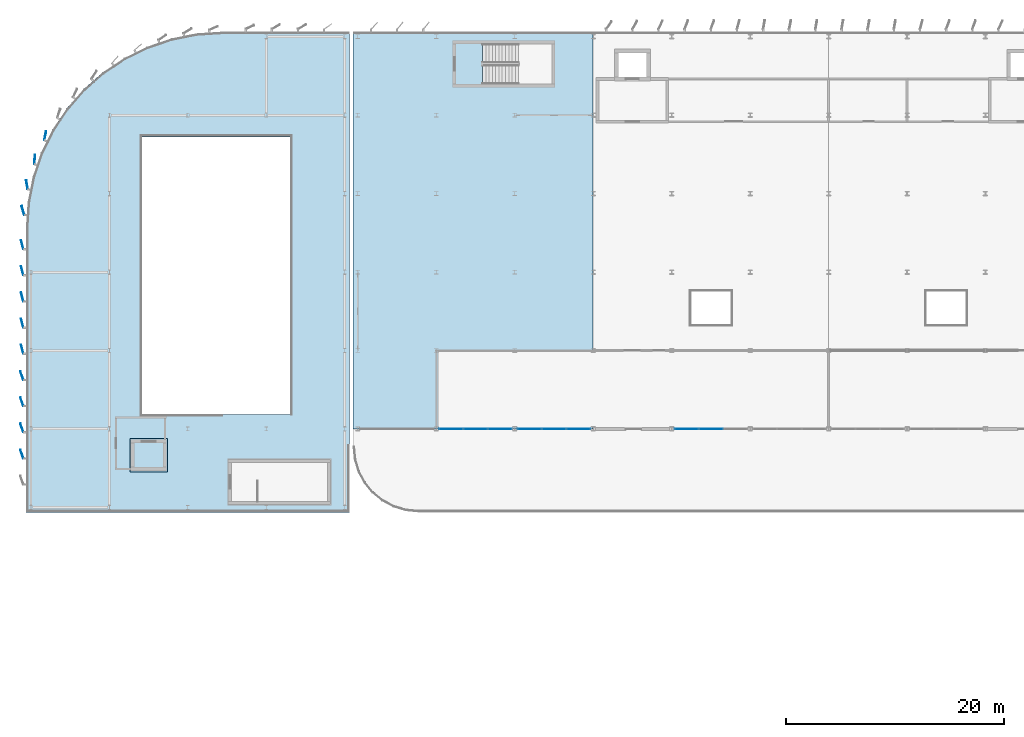
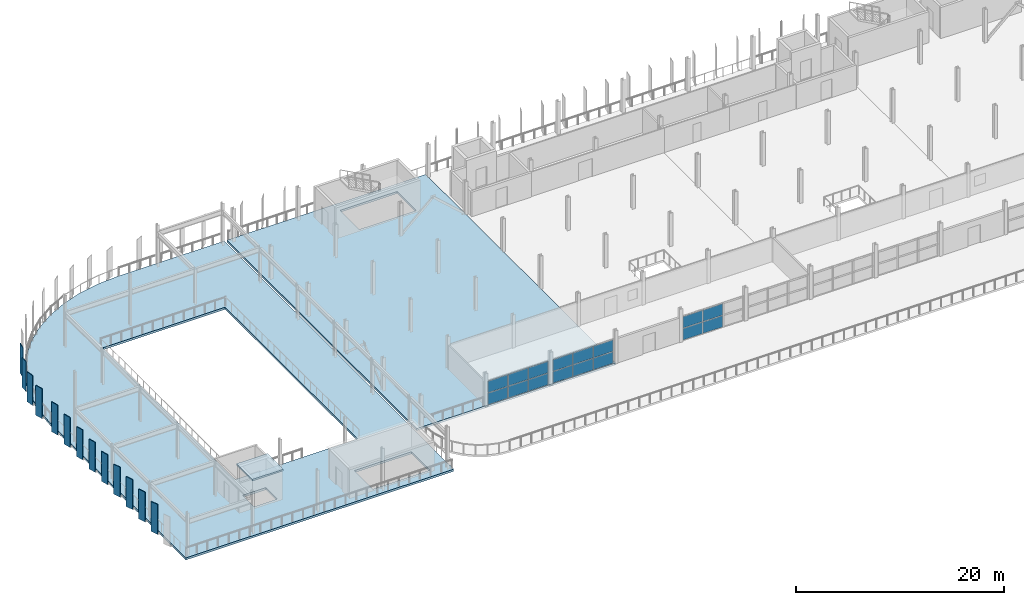
# One storey, part 20 of 40: 29 plates, 3 slabs, 3 elements without a shape of their own.
"""IFC4 building model written with IfcOpenShell, lengths in metres."""

from ifc_helpers import new_model, si_unit, direction, frame, origin, origin_2d, place, context, subcontext, project, spatial, polyline, rectangle, outline, extrude, material, layer, layer_set, type_object, element, aggregate, save


model = new_model("IFC4")

# Units and contexts
model_context = context("Model", 3, precision=1e-05, world=origin(), true_north=direction((0.0, 1.0)))
body_context = subcontext(model_context, "Body", "Model", "MODEL_VIEW")
ifc_project = project(units=[si_unit("LENGTHUNIT", "METRE"), si_unit("AREAUNIT", "SQUARE_METRE"), si_unit("VOLUMEUNIT", "CUBIC_METRE"), si_unit("PLANEANGLEUNIT", "RADIAN"), si_unit("MASSUNIT", "GRAM", prefix="KILO")], contexts=[model_context])

# Site, building, storey
site_placement = place(None, origin())
site = spatial("IfcSite", under=ifc_project, at=site_placement, CompositionType="ELEMENT")
building_placement = place(site_placement, origin())
building = spatial("IfcBuilding", under=site, at=building_placement, Name="Vaelcorin Mobility Hub", CompositionType="ELEMENT")
storey_placement = place(building_placement, frame((0.0, 0.0, 17.10009765625)))
storey = spatial("IfcBuildingStorey", under=building, at=storey_placement, Name="L04", CompositionType="ELEMENT", Elevation=17.10009765625)

# Curtain wall, plates
ifc_material_1 = material(Name="Anodised aluminium 6063-T6", Category="aluminium")
curtain_wall_type = type_object("IfcCurtainWallType", Name="CW-MOB-A", PredefinedType="NOTDEFINED", material=ifc_material_1)
curtain_wall_1_placement = place(storey_placement, origin())
curtain_wall_1 = element("IfcCurtainWall", 1, at=curtain_wall_1_placement, inside=storey, type_object=curtain_wall_type, Name="L04 Curtain Wall CW-V4-L04-S-02", PredefinedType="NOTDEFINED")
ifc_material_2 = material(Name="Low-E solar-control insulated glazing", Category="glass")
ifc_layer_1 = layer(ifc_material_2, 0.028076171875)
ifc_layer_set_1 = layer_set([ifc_layer_1], Name="Low-E solar-control insulated glazing")
plate_type_1 = type_object("IfcPlateType", Name="CW-PAN-GLZ28", PredefinedType="CURTAIN_PANEL", material=ifc_layer_set_1)
plate_1_placement = place(storey_placement, frame((49.038330078125, 84.0, 0.06005859375), z_axis=(0.0, 0.0, 1.0), x_axis=(-1.0, 0.0, 0.0)))
plate_1 = element("IfcPlate", 2, at=plate_1_placement, type_object=plate_type_1, Name="CW7 panel 1.1", PredefinedType="CURTAIN_PANEL", context=body_context, shape_type="SweptSolid", body=[
    extrude(rectangle(XDim=2.163330078125, YDim=0.028076171875, at=origin_2d()), origin(), (0.0, 0.0, 1.0), 1.343994140625),
])
plate_2_placement = place(storey_placement, frame((49.038330078125, 84.0, 1.4638671875), z_axis=(0.0, 0.0, 1.0), x_axis=(-1.0, 0.0, 0.0)))
plate_2 = element("IfcPlate", 3, at=plate_2_placement, type_object=plate_type_1, Name="CW7 panel 1.2", PredefinedType="CURTAIN_PANEL", context=body_context, shape_type="SweptSolid", body=[
    extrude(rectangle(XDim=2.163330078125, YDim=0.028076171875, at=origin_2d()), origin(), (0.0, 0.0, 1.0), 1.343994140625),
])
plate_3_placement = place(storey_placement, frame((46.800048828125, 84.0, 0.06005859375), z_axis=(0.0, 0.0, 1.0), x_axis=(-1.0, 0.0, 0.0)))
plate_3 = element("IfcPlate", 4, at=plate_3_placement, type_object=plate_type_1, Name="CW7 panel 2.1", PredefinedType="CURTAIN_PANEL", context=body_context, shape_type="SweptSolid", body=[
    extrude(rectangle(XDim=2.193359375, YDim=0.028076171875, at=origin_2d()), origin(), (0.0, 0.0, 1.0), 1.343994140625),
])
plate_4_placement = place(storey_placement, frame((46.800048828125, 84.0, 1.4638671875), z_axis=(0.0, 0.0, 1.0), x_axis=(-1.0, 0.0, 0.0)))
plate_4 = element("IfcPlate", 5, at=plate_4_placement, type_object=plate_type_1, Name="CW7 panel 2.2", PredefinedType="CURTAIN_PANEL", context=body_context, shape_type="SweptSolid", body=[
    extrude(rectangle(XDim=2.193359375, YDim=0.028076171875, at=origin_2d()), origin(), (0.0, 0.0, 1.0), 1.343994140625),
])
plate_5_placement = place(storey_placement, frame((44.561767578125, 84.0, 0.06005859375), z_axis=(0.0, 0.0, 1.0), x_axis=(-1.0, 0.0, 0.0)))
plate_5 = element("IfcPlate", 6, at=plate_5_placement, type_object=plate_type_1, Name="CW7 panel 3.1", PredefinedType="CURTAIN_PANEL", context=body_context, shape_type="SweptSolid", body=[
    extrude(rectangle(XDim=2.163330078125, YDim=0.028076171875, at=origin_2d()), origin(), (0.0, 0.0, 1.0), 1.343994140625),
])
plate_6_placement = place(storey_placement, frame((44.561767578125, 84.0, 1.4638671875), z_axis=(0.0, 0.0, 1.0), x_axis=(-1.0, 0.0, 0.0)))
plate_6 = element("IfcPlate", 7, at=plate_6_placement, type_object=plate_type_1, Name="CW7 panel 3.2", PredefinedType="CURTAIN_PANEL", context=body_context, shape_type="SweptSolid", body=[
    extrude(rectangle(XDim=2.163330078125, YDim=0.028076171875, at=origin_2d()), origin(), (0.0, 0.0, 1.0), 1.343994140625),
])
aggregate(curtain_wall_1, [plate_1, plate_2, plate_3, plate_4, plate_5, plate_6])

curtain_wall_2_placement = place(storey_placement, origin())
curtain_wall_2 = element("IfcCurtainWall", 8, at=curtain_wall_2_placement, inside=storey, type_object=curtain_wall_type, Name="L04 Curtain Wall CW-V4-L04-S-03", PredefinedType="NOTDEFINED")
plate_7_placement = place(storey_placement, frame((56.23828125, 84.0, 0.06005859375), z_axis=(0.0, 0.0, 1.0), x_axis=(-1.0, 0.0, 0.0)))
plate_7 = element("IfcPlate", 9, at=plate_7_placement, type_object=plate_type_1, Name="CW7 panel 1.1", PredefinedType="CURTAIN_PANEL", context=body_context, shape_type="SweptSolid", body=[
    extrude(rectangle(XDim=2.163330078125, YDim=0.028076171875, at=origin_2d()), origin(), (0.0, 0.0, 1.0), 1.343994140625),
])
plate_8_placement = place(storey_placement, frame((56.23828125, 84.0, 1.4638671875), z_axis=(0.0, 0.0, 1.0), x_axis=(-1.0, 0.0, 0.0)))
plate_8 = element("IfcPlate", 10, at=plate_8_placement, type_object=plate_type_1, Name="CW7 panel 1.2", PredefinedType="CURTAIN_PANEL", context=body_context, shape_type="SweptSolid", body=[
    extrude(rectangle(XDim=2.163330078125, YDim=0.028076171875, at=origin_2d()), origin(), (0.0, 0.0, 1.0), 1.343994140625),
])
plate_9_placement = place(storey_placement, frame((54.0, 84.0, 0.06005859375), z_axis=(0.0, 0.0, 1.0), x_axis=(-1.0, 0.0, 0.0)))
plate_9 = element("IfcPlate", 11, at=plate_9_placement, type_object=plate_type_1, Name="CW7 panel 2.1", PredefinedType="CURTAIN_PANEL", context=body_context, shape_type="SweptSolid", body=[
    extrude(rectangle(XDim=2.193359375, YDim=0.028076171875, at=origin_2d()), origin(), (0.0, 0.0, 1.0), 1.343994140625),
])
plate_10_placement = place(storey_placement, frame((54.0, 84.0, 1.4638671875), z_axis=(0.0, 0.0, 1.0), x_axis=(-1.0, 0.0, 0.0)))
plate_10 = element("IfcPlate", 12, at=plate_10_placement, type_object=plate_type_1, Name="CW7 panel 2.2", PredefinedType="CURTAIN_PANEL", context=body_context, shape_type="SweptSolid", body=[
    extrude(rectangle(XDim=2.193359375, YDim=0.028076171875, at=origin_2d()), origin(), (0.0, 0.0, 1.0), 1.343994140625),
])
plate_11_placement = place(storey_placement, frame((51.76171875, 84.0, 0.06005859375), z_axis=(0.0, 0.0, 1.0), x_axis=(-1.0, 0.0, 0.0)))
plate_11 = element("IfcPlate", 13, at=plate_11_placement, type_object=plate_type_1, Name="CW7 panel 3.1", PredefinedType="CURTAIN_PANEL", context=body_context, shape_type="SweptSolid", body=[
    extrude(rectangle(XDim=2.163330078125, YDim=0.028076171875, at=origin_2d()), origin(), (0.0, 0.0, 1.0), 1.343994140625),
])
plate_12_placement = place(storey_placement, frame((51.76171875, 84.0, 1.4638671875), z_axis=(0.0, 0.0, 1.0), x_axis=(-1.0, 0.0, 0.0)))
plate_12 = element("IfcPlate", 14, at=plate_12_placement, type_object=plate_type_1, Name="CW7 panel 3.2", PredefinedType="CURTAIN_PANEL", context=body_context, shape_type="SweptSolid", body=[
    extrude(rectangle(XDim=2.163330078125, YDim=0.028076171875, at=origin_2d()), origin(), (0.0, 0.0, 1.0), 1.343994140625),
])
aggregate(curtain_wall_2, [plate_7, plate_8, plate_9, plate_10, plate_11, plate_12])

curtain_wall_3_placement = place(storey_placement, origin())
curtain_wall_3 = element("IfcCurtainWall", 15, at=curtain_wall_3_placement, inside=storey, type_object=curtain_wall_type, Name="L04 Curtain Wall CW-V4-L04-S-05", PredefinedType="NOTDEFINED")
plate_13_placement = place(storey_placement, frame((68.39990234375, 84.0, 0.06005859375), z_axis=(0.0, 0.0, 1.0), x_axis=(-1.0, 0.0, 0.0)))
plate_13 = element("IfcPlate", 16, at=plate_13_placement, type_object=plate_type_1, Name="CW7 panel 2.1", PredefinedType="CURTAIN_PANEL", context=body_context, shape_type="SweptSolid", body=[
    extrude(rectangle(XDim=2.193359375, YDim=0.028076171875, at=origin_2d()), origin(), (0.0, 0.0, 1.0), 1.343994140625),
])
plate_14_placement = place(storey_placement, frame((68.39990234375, 84.0, 1.4638671875), z_axis=(0.0, 0.0, 1.0), x_axis=(-1.0, 0.0, 0.0)))
plate_14 = element("IfcPlate", 17, at=plate_14_placement, type_object=plate_type_1, Name="CW7 panel 2.2", PredefinedType="CURTAIN_PANEL", context=body_context, shape_type="SweptSolid", body=[
    extrude(rectangle(XDim=2.193359375, YDim=0.028076171875, at=origin_2d()), origin(), (0.0, 0.0, 1.0), 1.343994140625),
])
plate_15_placement = place(storey_placement, frame((66.16162109375, 84.0, 0.06005859375), z_axis=(0.0, 0.0, 1.0), x_axis=(-1.0, 0.0, 0.0)))
plate_15 = element("IfcPlate", 18, at=plate_15_placement, type_object=plate_type_1, Name="CW7 panel 3.1", PredefinedType="CURTAIN_PANEL", context=body_context, shape_type="SweptSolid", body=[
    extrude(rectangle(XDim=2.163330078125, YDim=0.028076171875, at=origin_2d()), origin(), (0.0, 0.0, 1.0), 1.343994140625),
])
plate_16_placement = place(storey_placement, frame((66.16162109375, 84.0, 1.4638671875), z_axis=(0.0, 0.0, 1.0), x_axis=(-1.0, 0.0, 0.0)))
plate_16 = element("IfcPlate", 19, at=plate_16_placement, type_object=plate_type_1, Name="CW7 panel 3.2", PredefinedType="CURTAIN_PANEL", context=body_context, shape_type="SweptSolid", body=[
    extrude(rectangle(XDim=2.163330078125, YDim=0.028076171875, at=origin_2d()), origin(), (0.0, 0.0, 1.0), 1.343994140625),
])
aggregate(curtain_wall_3, [plate_13, plate_14, plate_15, plate_16])

# Plates
ifc_material_3 = material(Name="Perforated terracotta-bronze aluminium aerofoil", Category="masonry")
ifc_layer_2 = layer(ifc_material_3, 0.06005859375)
ifc_layer_set_2 = layer_set([ifc_layer_2], Name="Perforated terracotta-bronze aluminium aerofoil")
plate_type_2 = type_object("IfcPlateType", Name="PL-FIN-AF1", PredefinedType="SHEET", material=ifc_layer_set_2)
for number, where, z_axis, x_axis, name in (
    (20, (7.30908203125, 110.9169921875, -0.16015625), (0.0, 0.0, 1.0), (0.195261498368, 0.980751215781, 0.0), "Rotating Terracotta-Bronze Aerofoil Fin FIN-V2W-L04-ARC-09"),
    (21, (6.342041015625, 108.72509765625, -0.16015625), (0.0, 0.0, 1.0), (0.065542455982, 0.997849781512, 0.0), "Rotating Terracotta-Bronze Aerofoil Fin FIN-V2W-L04-ARC-10"),
    (22, (5.633056640625, 106.4208984375, -0.16015625), (0.0, 0.0, 1.0), (-0.152330384803, 0.988329628143, 0.0), "Rotating Terracotta-Bronze Aerofoil Fin FIN-V2W-L04-ARC-11"),
    (23, (5.26904296875, 104.048095703125, -0.16015625), (0.0, 0.0, 1.0), (-0.279812257957, 0.960054738177, 0.0), "Rotating Terracotta-Bronze Aerofoil Fin FIN-V2W-L04-ARC-12"),
    (24, (5.1650390625, 81.698974609375, -0.16015625), (0.0, 0.0, 1.0), (-0.342020143326, 0.939692620786, 0.0), "Rotating Terracotta-Bronze Aerofoil Fin FIN-V2W-L04-W-AF-02"),
    (25, (5.1650390625, 84.09912109375, -0.16015625), (0.0, 0.0, 1.0), (-0.342020143326, 0.939692620786, 0.0), "Rotating Terracotta-Bronze Aerofoil Fin FIN-V2W-L04-W-AF-03"),
    (26, (5.1650390625, 86.4990234375, -0.16015625), (0.0, 0.0, 1.0), (-0.342020143326, 0.939692620786, 0.0), "Rotating Terracotta-Bronze Aerofoil Fin FIN-V2W-L04-W-AF-04"),
    (27, (5.1650390625, 88.89892578125, -0.16015625), (0.0, 0.0, 1.0), (-0.342020143326, 0.939692620786, 0.0), "Rotating Terracotta-Bronze Aerofoil Fin FIN-V2W-L04-W-AF-05"),
    (28, (5.199951171875, 91.31103515625, -0.16015625), (0.0, 0.0, 1.0), (-0.258819045103, 0.965925826289, 0.0), "Rotating Terracotta-Bronze Aerofoil Fin FIN-V2W-L04-W-AF-06"),
    (29, (5.199951171875, 93.7109375, -0.16015625), (0.0, 0.0, 1.0), (-0.258819045103, 0.965925826289, 0.0), "Rotating Terracotta-Bronze Aerofoil Fin FIN-V2W-L04-W-AF-07"),
    (30, (5.199951171875, 96.111083984375, -0.16015625), (0.0, 0.0, 1.0), (-0.258819045103, 0.965925826289, 0.0), "Rotating Terracotta-Bronze Aerofoil Fin FIN-V2W-L04-W-AF-08"),
    (31, (5.199951171875, 98.510986328125, -0.16015625), (0.0, 0.0, 1.0), (-0.258819045103, 0.965925826289, 0.0), "Rotating Terracotta-Bronze Aerofoil Fin FIN-V2W-L04-W-AF-09"),
    (32, (5.199951171875, 100.910888671875, -0.16015625), (0.0, 0.0, 1.0), (-0.258819045103, 0.965925826289, 0.0), "Rotating Terracotta-Bronze Aerofoil Fin FIN-V2W-L04-W-AF-10"),
):
    element("IfcPlate", number, at=place(storey_placement, frame(where, z_axis=z_axis, x_axis=x_axis)), inside=storey, type_object=plate_type_2, Name=name, PredefinedType="SHEET", context=body_context, shape_type="SweptSolid", body=[
        extrude(rectangle(XDim=0.85009765625, YDim=0.06005859375, at=origin_2d()), origin(), (0.0, 0.0, 1.0), 3.5),
    ])

# Slabs
ifc_material_4 = material(Name="Concrete f'c 35 MPa", Category="concrete")
ifc_layer_3 = layer(ifc_material_4, 0.239990234375)
ifc_layer_set_3 = layer_set([ifc_layer_3], Name="Concrete f'c 35 MPa")
slab_type_1 = type_object("IfcSlabType", Name="SLAB-PK2", PredefinedType="FLOOR", material=ifc_layer_set_3)
slab_1_placement = place(storey_placement, frame((0.0, 0.0, -0.239990234375)))
element("IfcSlab", 33, at=slab_1_placement, inside=storey, type_object=slab_type_1, Name="L04 EV Mobility Deck SL-V4-L04-Q1", PredefinedType="FLOOR", context=body_context, shape_type="SweptSolid", body=[
    extrude(outline(polyline([(35.550048828125, 120.449951171875), (57.60009765625, 120.449951171875), (57.60009765625, 84.0), (35.550048828125, 84.0), (35.550048828125, 120.449951171875)]), holes=[polyline([(53.800048828125, 119.330078125), (47.455078125, 119.330078125), (47.455078125, 115.64990234375), (53.800048828125, 115.64990234375), (53.800048828125, 119.330078125)])]), origin(), (0.0, 0.0, 1.0), 0.239990234375),
])
ifc_layer_4 = layer(ifc_material_4, 0.199951171875)
ifc_layer_set_4 = layer_set([ifc_layer_4], Name="Concrete f'c 35 MPa")
slab_type_2 = type_object("IfcSlabType", Name="SLAB-RF-V4P", PredefinedType="ROOF", material=ifc_layer_set_4)
slab_2_placement = place(storey_placement, frame((0.0, 0.0, 3.39990234375)))
element("IfcSlab", 34, at=slab_2_placement, inside=storey, type_object=slab_type_2, Name="LF4 Lift Shaft Overrun Roof", PredefinedType="ROOF", context=body_context, shape_type="SweptSolid", body=[
    extrude(outline(polyline([(15.070068359375, 80.070068359375), (18.530029296875, 80.070068359375), (18.530029296875, 83.1298828125), (15.070068359375, 83.1298828125), (15.070068359375, 80.070068359375)])), origin(), (0.0, 0.0, 1.0), 0.199951171875),
])
ifc_layer_5 = layer(ifc_material_4, 0.25)
ifc_layer_set_5 = layer_set([ifc_layer_5], Name="Concrete f'c 35 MPa")
slab_type_3 = type_object("IfcSlabType", Name="SLAB-RMP", PredefinedType="FLOOR", material=ifc_layer_set_5)
slab_3_placement = place(storey_placement, frame((0.0, 0.0, -0.25)))
element("IfcSlab", 35, at=slab_3_placement, inside=storey, type_object=slab_type_3, Name="L04 V2W Ramp Transition Deck SL-V2W-L04", PredefinedType="FLOOR", context=body_context, shape_type="SweptSolid", body=[
    extrude(outline(polyline([(5.550048828125, 102.449951171875), (5.7041015625, 104.799072265625), (6.1630859375, 107.10888671875), (6.919921875, 109.337890625), (7.9619140625, 111.449951171875), (9.27001953125, 113.407958984375), (10.822021484375, 115.177978515625), (12.592041015625, 116.72998046875), (14.550048828125, 118.0380859375), (16.662109375, 119.080078125), (18.89111328125, 119.8369140625), (21.200927734375, 120.2958984375), (23.550048828125, 120.449951171875), (35.25, 120.449951171875), (35.25, 76.35009765625), (5.550048828125, 76.35009765625), (5.550048828125, 102.449951171875)]), holes=[polyline([(26.85498046875, 80.909912109375), (26.85498046875, 77.35009765625), (33.199951171875, 77.35009765625), (33.199951171875, 80.909912109375), (26.85498046875, 80.909912109375)]), polyline([(15.5, 82.699951171875), (15.5, 80.5), (18.10009765625, 80.5), (18.10009765625, 82.699951171875), (15.5, 82.699951171875)]), polyline([(16.199951171875, 110.800048828125), (16.199951171875, 85.340087890625), (29.800048828125, 85.340087890625), (29.800048828125, 110.800048828125), (16.199951171875, 110.800048828125)])]), origin(), (0.0, 0.0, 1.0), 0.25),
])

save(model, "model.ifc")
